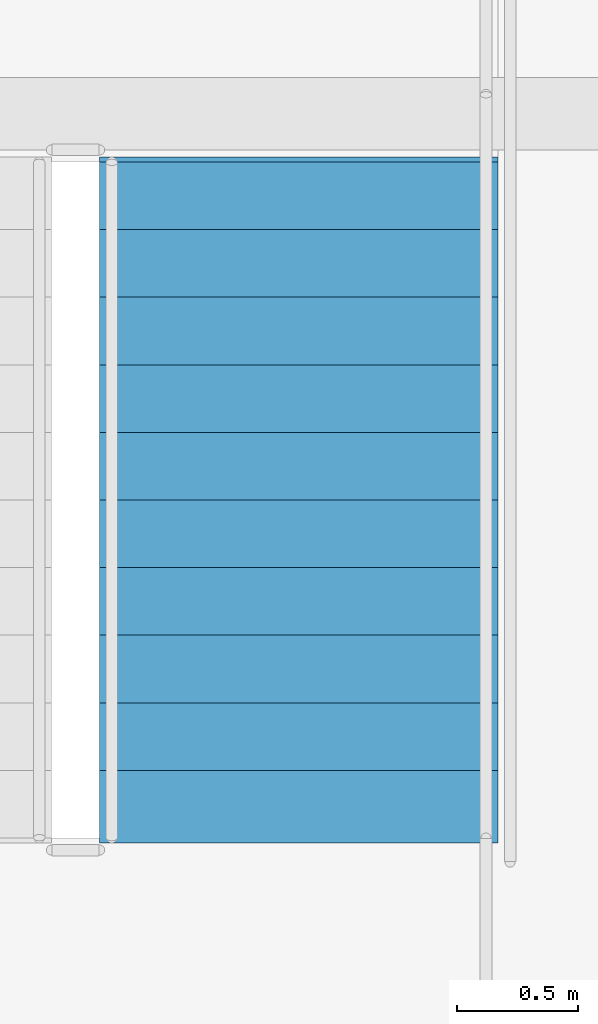
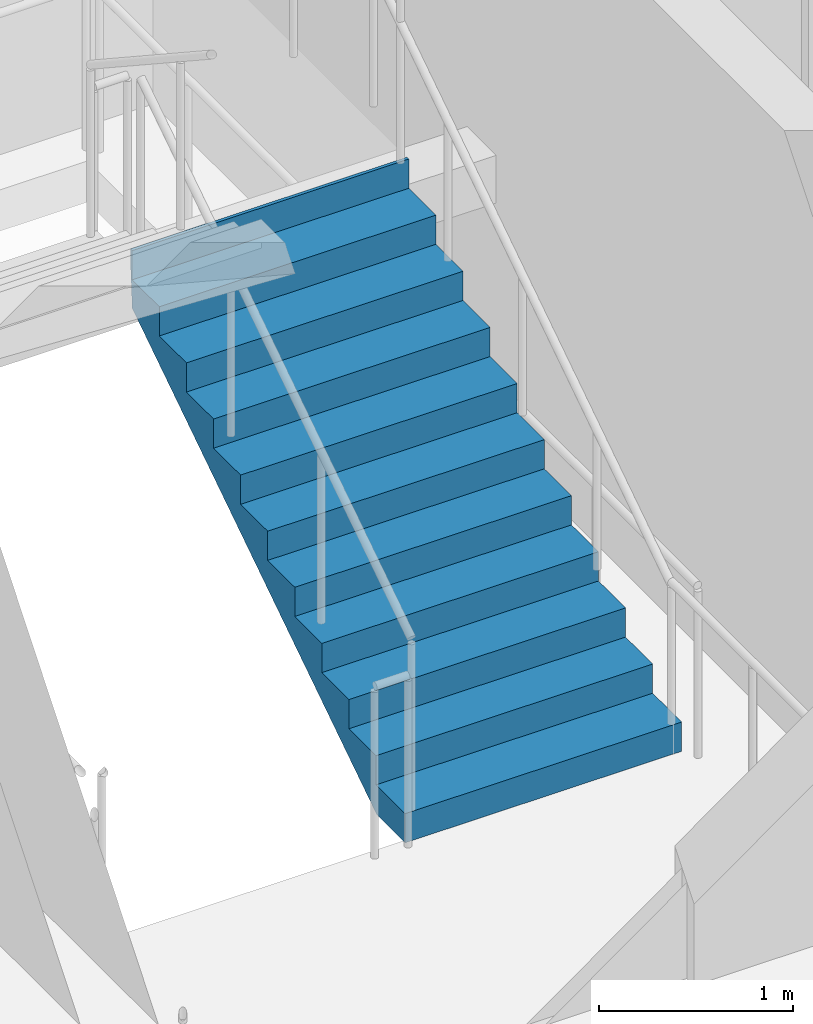
# One storey, part 37 of 42: 1 stair flight, 1 element without a shape of its own.
"""IFC4 building model written with IfcOpenShell, lengths in metres."""

import ifcopenshell
import ifcopenshell.guid

model = None  # the IFC model being written
_history = None  # IfcOwnerHistory: only IFC2X3 demands one
_inside = {}  # id of a spatial element -> (the spatial element, [elements in it])
_under = {}  # id of a project, library or spatial element -> (it, [spatial elements below it])
_declared = {}  # id of a project -> (the project, [libraries it declares])
_typed = {}  # id of a type object -> (the type object, [elements of that type])
_made_of = {}  # id of a material, layer set ... -> (it, [elements and type objects made of it])


def new_model(schema):
    """Start an empty IFC model of exactly this schema.

    Asked for "IFC4X3", IfcOpenShell would pick the latest addendum, in which some entities
    have other attributes; the version numbers below select the first issue.
    IFC2X3 requires an IfcOwnerHistory on every rooted entity: one is made here for all.
    """
    global model, _history
    if schema == "IFC4X3":
        model = ifcopenshell.file(schema_version=(4, 3, 0, 0))
    else:
        model = ifcopenshell.file(schema=schema)
    _inside.clear()
    _under.clear()
    _declared.clear()
    _typed.clear()
    _made_of.clear()
    _history = None
    if model.schema == "IFC2X3":
        org = make("IfcOrganization", Name="unknown")
        user = make(
            "IfcPersonAndOrganization",
            ThePerson=make("IfcPerson", FamilyName="unknown"),
            TheOrganization=org,
        )
        app = make(
            "IfcApplication",
            ApplicationDeveloper=org,
            Version="unknown",
            ApplicationFullName="unknown",
            ApplicationIdentifier="unknown",
        )
        _history = make(
            "IfcOwnerHistory",
            OwningUser=user,
            OwningApplication=app,
            ChangeAction="ADDED",
            CreationDate=0,
        )
    return model


def make(cls, **values):
    """One entity of the class cls with the attributes given. An attribute that is None is left unset."""
    return model.create_entity(
        cls, **{name: value for name, value in values.items() if value is not None}
    )


def rooted(cls, **values):
    """An entity with a GlobalId (a new one), such as an element, a storey or a relation."""
    return make(cls, GlobalId=ifcopenshell.guid.new(), OwnerHistory=_history, **values)


def si_unit(unit_type, name, prefix=None):
    """IfcSIUnit, for example si_unit("LENGTHUNIT", "METRE", prefix="MILLI")."""
    return make("IfcSIUnit", UnitType=unit_type, Prefix=prefix, Name=name)


def assignment(units):
    """IfcUnitAssignment: the units of a project."""
    return None if units is None else make("IfcUnitAssignment", Units=units)


def point(xyz):
    """IfcCartesianPoint."""
    return None if xyz is None else make("IfcCartesianPoint", Coordinates=xyz)


def direction(xyz):
    """IfcDirection."""
    return None if xyz is None else make("IfcDirection", DirectionRatios=xyz)


def frame(location, z_axis=None, x_axis=None):
    """IfcAxis2Placement3D, a coordinate frame: its origin and axes. An axis left out is left unset."""
    return make(
        "IfcAxis2Placement3D",
        Location=point(location),
        Axis=direction(z_axis),
        RefDirection=direction(x_axis),
    )


def origin():
    """The frame at (0, 0, 0) with its axes left unset."""
    return frame((0.0, 0.0, 0.0))


def place(relative_to, where):
    """IfcLocalPlacement: puts the frame where relative to a parent placement (None: the world)."""
    return make(
        "IfcLocalPlacement", PlacementRelTo=relative_to, RelativePlacement=where
    )


def context(
    kind, dimensions, precision=None, world=None, true_north=None, identifier=None
):
    """IfcGeometricRepresentationContext, for example the 3D "Model" context."""
    return make(
        "IfcGeometricRepresentationContext",
        ContextIdentifier=identifier,
        ContextType=kind,
        CoordinateSpaceDimension=dimensions,
        Precision=precision,
        WorldCoordinateSystem=world,
        TrueNorth=true_north,
    )


def subcontext(parent, identifier, kind, view, scale=None):
    """IfcGeometricRepresentationSubContext, for example "Body" below "Model"."""
    return make(
        "IfcGeometricRepresentationSubContext",
        ContextIdentifier=identifier,
        ContextType=kind,
        ParentContext=parent,
        TargetScale=scale,
        TargetView=view,
    )


def project(units=None, contexts=None):
    """IfcProject with its units and contexts."""
    return rooted(
        "IfcProject",
        Name="project",
        RepresentationContexts=contexts,
        UnitsInContext=assignment(units),
    )


def spatial(cls, under=None, at=None, **own):
    """A site, building, storey or space (cls), placed at a placement, below another one or the project."""
    s = rooted(cls, ObjectPlacement=at, **own)
    if under is not None:
        _under.setdefault(under.id(), (under, []))[1].append(s)
    return s


def point_list(points):
    """IfcCartesianPointList2D or 3D."""
    cls = (
        "IfcCartesianPointList2D" if len(points[0]) == 2 else "IfcCartesianPointList3D"
    )
    return make(cls, CoordList=points)


def polygons(points, faces, closed=None, point_numbers=None):
    """IfcPolygonalFaceSet: a face is its outer loop, then its inner loops; points numbered from 1."""
    made = []
    for loops in faces:
        if len(loops) == 1:
            made.append(make("IfcIndexedPolygonalFace", CoordIndex=loops[0]))
        else:
            made.append(
                make(
                    "IfcIndexedPolygonalFaceWithVoids",
                    CoordIndex=loops[0],
                    InnerCoordIndices=loops[1:],
                )
            )
    return make(
        "IfcPolygonalFaceSet",
        Coordinates=point_list(points),
        Closed=closed,
        Faces=made,
        PnIndex=point_numbers,
    )


def shape(context_of_items, identifier, shape_type, items):
    """IfcShapeRepresentation: the items that make up one representation, for example the "Body"."""
    return make(
        "IfcShapeRepresentation",
        ContextOfItems=context_of_items,
        RepresentationIdentifier=identifier,
        RepresentationType=shape_type,
        Items=items,
    )


def material(Name=None, Category=None):
    """IfcMaterial."""
    return make("IfcMaterial", Name=Name, Category=Category)


def made_of(thing, what):
    """Note that an element or type object is made of a material, layer set ...; save() writes the relation."""
    if what is not None:
        _made_of.setdefault(what.id(), (what, []))[1].append(thing)
    return thing


def type_object(cls, material=None, **own):
    """A type object (cls), such as IfcWallType, which elements share."""
    return made_of(rooted(cls, **own), material)


def element(
    cls,
    number,
    at=None,
    inside=None,
    cuts=None,
    type_object=None,
    material=None,
    context=None,
    identifier="Body",
    shape_type=None,
    held_by="IfcProductDefinitionShape",
    body=None,
    shapes=None,
    **own,
):
    """One element of the class cls, such as IfcWall. Its Tag is "e" and its number.

    at: its placement. inside: the storey or other place that contains it. cuts: it is an
    opening in that element (IfcRelVoidsElement). A single representation is given by context,
    identifier, shape_type and body (its items); several are given by shapes. held_by: the class
    of the entity that holds the representations. save() writes the other relations.
    """
    e = rooted(cls, Tag="e%d" % number, ObjectPlacement=at, **own)
    if body is not None:
        shapes = [shape(context, identifier, shape_type, body)]
    if shapes is not None:
        e.Representation = make(held_by, Representations=shapes)
    if inside is not None:
        _inside.setdefault(inside.id(), (inside, []))[1].append(e)
    if cuts is not None:
        rooted(
            "IfcRelVoidsElement", RelatingBuildingElement=cuts, RelatedOpeningElement=e
        )
    if type_object is not None:
        _typed.setdefault(type_object.id(), (type_object, []))[1].append(e)
    return made_of(e, material)


def aggregate(whole, parts):
    """IfcRelAggregates: a whole, such as a stair, and the parts it consists of."""
    return rooted("IfcRelAggregates", RelatingObject=whole, RelatedObjects=parts)


def save(model, path):
    """Write the relations noted so far, then the file.

    IfcRelAggregates (storeys below a building ...), IfcRelContainedInSpatialStructure (elements
    in a storey), IfcRelDefinesByType, IfcRelAssociatesMaterial and IfcRelDeclares: one each for
    every whole, place, type object, material and project.
    """
    for whole, parts in _under.values():
        aggregate(whole, parts)
    for where, things in _inside.values():
        rooted(
            "IfcRelContainedInSpatialStructure",
            RelatedElements=things,
            RelatingStructure=where,
        )
    for kind, things in _typed.values():
        rooted("IfcRelDefinesByType", RelatedObjects=things, RelatingType=kind)
    for what, things in _made_of.values():
        rooted("IfcRelAssociatesMaterial", RelatedObjects=things, RelatingMaterial=what)
    for by, libraries in _declared.values():
        rooted("IfcRelDeclares", RelatingContext=by, RelatedDefinitions=libraries)
    model.write(path)


model = new_model("IFC4")

# Units and contexts
model_context = context("Model", 3, precision=1e-05, world=origin(), true_north=direction((0.0, 1.0)))
body_context = subcontext(model_context, "Body", "Model", "MODEL_VIEW")
ifc_project = project(units=[si_unit("LENGTHUNIT", "METRE"), si_unit("AREAUNIT", "SQUARE_METRE"), si_unit("VOLUMEUNIT", "CUBIC_METRE"), si_unit("PLANEANGLEUNIT", "RADIAN"), si_unit("MASSUNIT", "GRAM", prefix="KILO")], contexts=[model_context])

# Site, building, storey
site_placement = place(None, origin())
site = spatial("IfcSite", under=ifc_project, at=site_placement, CompositionType="ELEMENT")
building_placement = place(site_placement, origin())
building = spatial("IfcBuilding", under=site, at=building_placement, Name="Serunith Strait Residences", CompositionType="ELEMENT")
storey_placement = place(building_placement, frame((0.0, 0.0, 297.5)))
storey = spatial("IfcBuildingStorey", under=building, at=storey_placement, Name="L74", CompositionType="ELEMENT", Elevation=297.5)

# Stair, stair flight
ifc_material = material(Name="Concrete C50/60", Category="concrete")
stair_type = type_object("IfcStairType", Name="STR-CORE-1", PredefinedType="HALF_TURN_STAIR", material=ifc_material)
stair_placement = place(storey_placement, origin())
stair = element("IfcStair", 1, at=stair_placement, inside=storey, type_object=stair_type, Name="L74 Protected Escape Stair ST-1", PredefinedType="HALF_TURN_STAIR")
stair_flight_type = type_object("IfcStairFlightType", Name="FLT-CORE-1", PredefinedType="STRAIGHT", material=ifc_material)
stair_flight_placement = place(storey_placement, frame((26.324951171875, 27.030029296875, 0.0), z_axis=(0.0, 0.0, 1.0), x_axis=(0.0, 1.0, 0.0)))
stair_flight = element("IfcStairFlight", 2, at=stair_flight_placement, type_object=stair_flight_type, Name="ST-1 flight 1", NumberOfRisers=11, NumberOfTreads=10, PredefinedType="STRAIGHT", RiserHeight=0.184090909, TreadLength=0.28, context=body_context, shape_type="Tessellation", body=[
    polygons([(-0.02001953125, -0.824951171875, 0.0), (-0.02001953125, -0.824951171875, 0.18408203125), (0.280029296875, -0.824951171875, 0.18408203125), (0.280029296875, -0.824951171875, 0.3681640625), (0.56005859375, -0.824951171875, 0.3681640625), (0.56005859375, -0.824951171875, 0.55224609375), (0.840087890625, -0.824951171875, 0.55224609375), (0.840087890625, -0.824951171875, 0.736328125), (1.1201171875, -0.824951171875, 0.736328125), (1.1201171875, -0.824951171875, 0.92041015625), (1.39990234375, -0.824951171875, 0.92041015625), (1.39990234375, -0.824951171875, 1.1044921875), (1.679931640625, -0.824951171875, 1.1044921875), (1.679931640625, -0.824951171875, 1.28857421875), (1.9599609375, -0.824951171875, 1.28857421875), (1.9599609375, -0.824951171875, 1.47265625), (2.239990234375, -0.824951171875, 1.47265625), (2.239990234375, -0.824951171875, 1.65673828125), (2.52001953125, -0.824951171875, 1.65673828125), (2.52001953125, -0.824951171875, 1.8408203125), (2.800048828125, -0.824951171875, 1.8408203125), (2.800048828125, -0.824951171875, 2.02490234375), (2.820068359375, -0.824951171875, 2.02490234375), (2.820068359375, -0.824951171875, 1.965087890625), (2.800048828125, -0.824951171875, 1.66162109375), (0.27294921875, -0.824951171875, 0.0), (-0.02001953125, -0.41259765625, 0.0), (-0.02001953125, -0.41259765625, 0.18408203125), (0.280029296875, -0.41259765625, 0.18408203125), (0.280029296875, -0.41259765625, 0.3681640625), (0.56005859375, -0.41259765625, 0.3681640625), (0.56005859375, -0.41259765625, 0.55224609375), (0.840087890625, -0.41259765625, 0.55224609375), (0.840087890625, -0.41259765625, 0.736328125), (1.1201171875, -0.41259765625, 0.736328125), (1.1201171875, -0.41259765625, 0.92041015625), (1.39990234375, -0.41259765625, 0.92041015625), (1.39990234375, -0.41259765625, 1.1044921875), (1.679931640625, -0.41259765625, 1.1044921875), (1.679931640625, -0.41259765625, 1.28857421875), (1.9599609375, -0.41259765625, 1.28857421875), (1.9599609375, -0.41259765625, 1.47265625), (2.239990234375, -0.41259765625, 1.47265625), (2.239990234375, -0.41259765625, 1.65673828125), (2.52001953125, -0.41259765625, 1.65673828125), (2.52001953125, -0.41259765625, 1.8408203125), (2.800048828125, -0.41259765625, 1.8408203125), (2.800048828125, -0.41259765625, 2.02490234375), (2.820068359375, -0.41259765625, 2.02490234375), (2.820068359375, -0.41259765625, 1.965087890625), (2.800048828125, -0.41259765625, 1.66162109375), (0.27294921875, -0.41259765625, 0.0), (-0.02001953125, 0.0, 0.0), (-0.02001953125, 0.0, 0.18408203125), (0.280029296875, 0.0, 0.18408203125), (0.280029296875, 0.0, 0.3681640625), (0.56005859375, 0.0, 0.3681640625), (0.56005859375, 0.0, 0.55224609375), (0.840087890625, 0.0, 0.55224609375), (0.840087890625, 0.0, 0.736328125), (1.1201171875, 0.0, 0.736328125), (1.1201171875, 0.0, 0.92041015625), (1.39990234375, 0.0, 0.92041015625), (1.39990234375, 0.0, 1.1044921875), (1.679931640625, 0.0, 1.1044921875), (1.679931640625, 0.0, 1.28857421875), (1.9599609375, 0.0, 1.28857421875), (1.9599609375, 0.0, 1.47265625), (2.239990234375, 0.0, 1.47265625), (2.239990234375, 0.0, 1.65673828125), (2.52001953125, 0.0, 1.65673828125), (2.52001953125, 0.0, 1.8408203125), (2.800048828125, 0.0, 1.8408203125), (2.800048828125, 0.0, 2.02490234375), (2.820068359375, 0.0, 2.02490234375), (2.820068359375, 0.0, 1.965087890625), (2.800048828125, 0.0, 1.66162109375), (0.27294921875, 0.0, 0.0), (-0.02001953125, 0.41259765625, 0.0), (-0.02001953125, 0.41259765625, 0.18408203125), (0.280029296875, 0.41259765625, 0.18408203125), (0.280029296875, 0.41259765625, 0.3681640625), (0.56005859375, 0.41259765625, 0.3681640625), (0.56005859375, 0.41259765625, 0.55224609375), (0.840087890625, 0.41259765625, 0.55224609375), (0.840087890625, 0.41259765625, 0.736328125), (1.1201171875, 0.41259765625, 0.736328125), (1.1201171875, 0.41259765625, 0.92041015625), (1.39990234375, 0.41259765625, 0.92041015625), (1.39990234375, 0.41259765625, 1.1044921875), (1.679931640625, 0.41259765625, 1.1044921875), (1.679931640625, 0.41259765625, 1.28857421875), (1.9599609375, 0.41259765625, 1.28857421875), (1.9599609375, 0.41259765625, 1.47265625), (2.239990234375, 0.41259765625, 1.47265625), (2.239990234375, 0.41259765625, 1.65673828125), (2.52001953125, 0.41259765625, 1.65673828125), (2.52001953125, 0.41259765625, 1.8408203125), (2.800048828125, 0.41259765625, 1.8408203125), (2.800048828125, 0.41259765625, 2.02490234375), (2.820068359375, 0.41259765625, 2.02490234375), (2.820068359375, 0.41259765625, 1.965087890625), (2.800048828125, 0.41259765625, 1.66162109375), (0.27294921875, 0.41259765625, 0.0), (-0.02001953125, 0.824951171875, 0.0), (-0.02001953125, 0.824951171875, 0.18408203125), (0.280029296875, 0.824951171875, 0.18408203125), (0.280029296875, 0.824951171875, 0.3681640625), (0.56005859375, 0.824951171875, 0.3681640625), (0.56005859375, 0.824951171875, 0.55224609375), (0.840087890625, 0.824951171875, 0.55224609375), (0.840087890625, 0.824951171875, 0.736328125), (1.1201171875, 0.824951171875, 0.736328125), (1.1201171875, 0.824951171875, 0.92041015625), (1.39990234375, 0.824951171875, 0.92041015625), (1.39990234375, 0.824951171875, 1.1044921875), (1.679931640625, 0.824951171875, 1.1044921875), (1.679931640625, 0.824951171875, 1.28857421875), (1.9599609375, 0.824951171875, 1.28857421875), (1.9599609375, 0.824951171875, 1.47265625), (2.239990234375, 0.824951171875, 1.47265625), (2.239990234375, 0.824951171875, 1.65673828125), (2.52001953125, 0.824951171875, 1.65673828125), (2.52001953125, 0.824951171875, 1.8408203125), (2.800048828125, 0.824951171875, 1.8408203125), (2.800048828125, 0.824951171875, 2.02490234375), (2.820068359375, 0.824951171875, 2.02490234375), (2.820068359375, 0.824951171875, 1.965087890625), (2.800048828125, 0.824951171875, 1.66162109375), (0.27294921875, 0.824951171875, 0.0)], [[[1, 2, 28, 27]], [[2, 3, 29, 28]], [[3, 4, 30, 29]], [[4, 5, 31, 30]], [[5, 6, 32, 31]], [[6, 7, 33, 32]], [[7, 8, 34, 33]], [[8, 9, 35, 34]], [[9, 10, 36, 35]], [[10, 11, 37, 36]], [[11, 12, 38, 37]], [[12, 13, 39, 38]], [[13, 14, 40, 39]], [[14, 15, 41, 40]], [[15, 16, 42, 41]], [[16, 17, 43, 42]], [[17, 18, 44, 43]], [[18, 19, 45, 44]], [[19, 20, 46, 45]], [[20, 21, 47, 46]], [[21, 22, 48, 47]], [[22, 23, 49, 48]], [[23, 24, 50, 49]], [[24, 25, 51, 50]], [[25, 26, 52, 51]], [[26, 1, 27, 52]], [[27, 28, 54, 53]], [[28, 29, 55, 54]], [[29, 30, 56, 55]], [[30, 31, 57, 56]], [[31, 32, 58, 57]], [[32, 33, 59, 58]], [[33, 34, 60, 59]], [[34, 35, 61, 60]], [[35, 36, 62, 61]], [[36, 37, 63, 62]], [[37, 38, 64, 63]], [[38, 39, 65, 64]], [[39, 40, 66, 65]], [[40, 41, 67, 66]], [[41, 42, 68, 67]], [[42, 43, 69, 68]], [[43, 44, 70, 69]], [[44, 45, 71, 70]], [[45, 46, 72, 71]], [[46, 47, 73, 72]], [[47, 48, 74, 73]], [[48, 49, 75, 74]], [[49, 50, 76, 75]], [[50, 51, 77, 76]], [[51, 52, 78, 77]], [[52, 27, 53, 78]], [[53, 54, 80, 79]], [[54, 55, 81, 80]], [[55, 56, 82, 81]], [[56, 57, 83, 82]], [[57, 58, 84, 83]], [[58, 59, 85, 84]], [[59, 60, 86, 85]], [[60, 61, 87, 86]], [[61, 62, 88, 87]], [[62, 63, 89, 88]], [[63, 64, 90, 89]], [[64, 65, 91, 90]], [[65, 66, 92, 91]], [[66, 67, 93, 92]], [[67, 68, 94, 93]], [[68, 69, 95, 94]], [[69, 70, 96, 95]], [[70, 71, 97, 96]], [[71, 72, 98, 97]], [[72, 73, 99, 98]], [[73, 74, 100, 99]], [[74, 75, 101, 100]], [[75, 76, 102, 101]], [[76, 77, 103, 102]], [[77, 78, 104, 103]], [[78, 53, 79, 104]], [[79, 80, 106, 105]], [[80, 81, 107, 106]], [[81, 82, 108, 107]], [[82, 83, 109, 108]], [[83, 84, 110, 109]], [[84, 85, 111, 110]], [[85, 86, 112, 111]], [[86, 87, 113, 112]], [[87, 88, 114, 113]], [[88, 89, 115, 114]], [[89, 90, 116, 115]], [[90, 91, 117, 116]], [[91, 92, 118, 117]], [[92, 93, 119, 118]], [[93, 94, 120, 119]], [[94, 95, 121, 120]], [[95, 96, 122, 121]], [[96, 97, 123, 122]], [[97, 98, 124, 123]], [[98, 99, 125, 124]], [[99, 100, 126, 125]], [[100, 101, 127, 126]], [[101, 102, 128, 127]], [[102, 103, 129, 128]], [[103, 104, 130, 129]], [[104, 79, 105, 130]], [[26, 25, 24, 23, 22, 21, 20, 19, 18, 17, 16, 15, 14, 13, 12, 11, 10, 9, 8, 7, 6, 5, 4, 3, 2, 1]], [[105, 106, 107, 108, 109, 110, 111, 112, 113, 114, 115, 116, 117, 118, 119, 120, 121, 122, 123, 124, 125, 126, 127, 128, 129, 130]]], closed=True),
])
aggregate(stair, [stair_flight])

save(model, "model.ifc")
